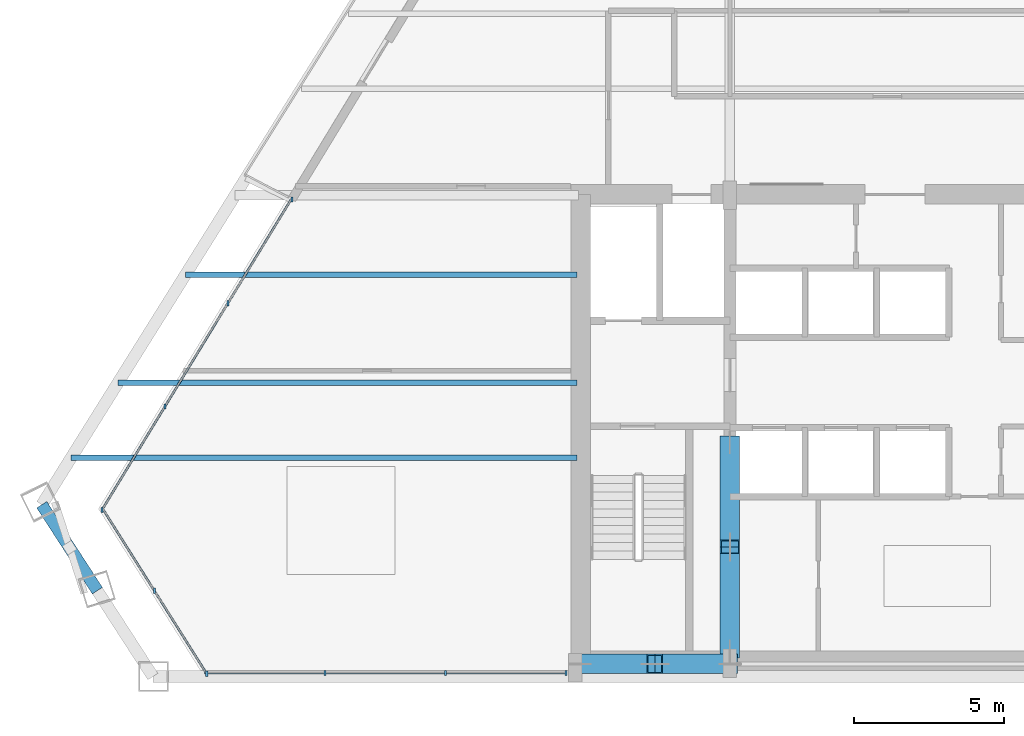
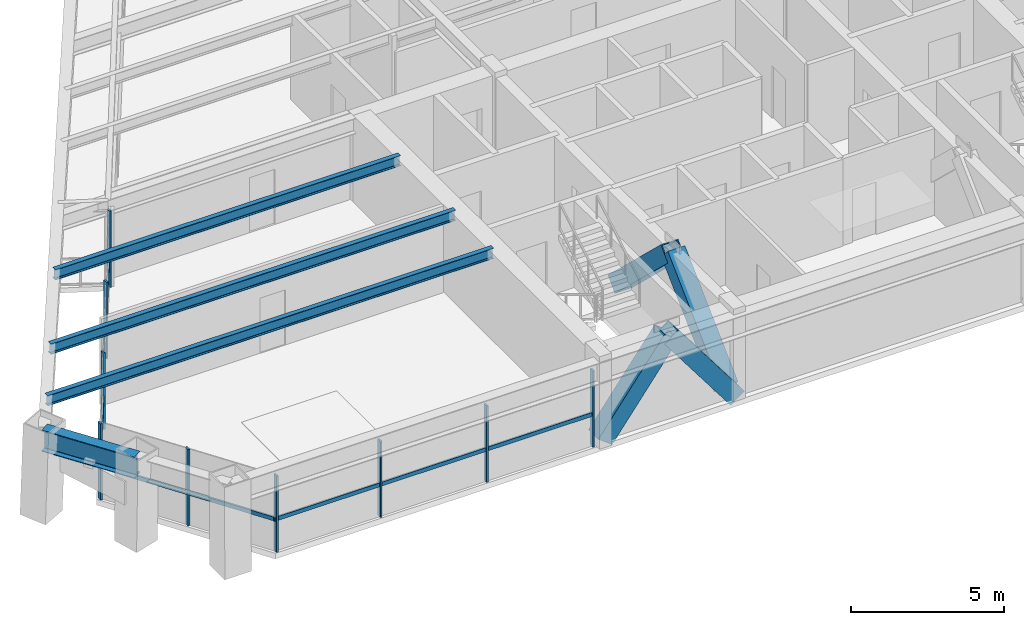
# One storey, part 2 of 13: 21 members, 4 beams, 3 elements without a shape of their own.
"""IFC4 building model written with IfcOpenShell, lengths in metres."""

from ifc_helpers import new_model, si_unit, direction, frame, origin, origin_2d, place, context, subcontext, project, spatial, rectangle, hollow_rectangle, i_section, extrude, source, transform, mapped, material, material_profile, profile_set, type_object, element, aggregate, save


model = new_model("IFC4")

# Units and contexts
model_context = context("Model", 3, precision=1e-05, world=origin(), true_north=direction((0.0, 1.0)))
body_context = subcontext(model_context, "Body", "Model", "MODEL_VIEW")
ifc_project = project(units=[si_unit("LENGTHUNIT", "METRE"), si_unit("AREAUNIT", "SQUARE_METRE"), si_unit("VOLUMEUNIT", "CUBIC_METRE"), si_unit("PLANEANGLEUNIT", "RADIAN"), si_unit("MASSUNIT", "GRAM", prefix="KILO")], contexts=[model_context])

# Site, building, storey
site_placement = place(None, origin())
site = spatial("IfcSite", under=ifc_project, at=site_placement, CompositionType="ELEMENT")
building_placement = place(site_placement, origin())
building = spatial("IfcBuilding", under=site, at=building_placement, Name="Varnakhor Terracotta Tower", CompositionType="ELEMENT")
storey_placement = place(building_placement, frame((0.0, 0.0, 204.300048828125)))
storey = spatial("IfcBuildingStorey", under=building, at=storey_placement, Name="L52", CompositionType="ELEMENT", Elevation=204.300048828125)

# Members
ifc_material_1 = material(Name="Steel S460", Category="steel")
ifc_material_profile_1 = material_profile(ifc_material_1, hollow_rectangle(XDim=0.64990234375, YDim=0.64990234375, WallThickness=0.0400390625, at=origin_2d()), Name="HSS650X650X40")
ifc_profile_set_1 = profile_set([ifc_material_profile_1], Name="Steel S460")
member_type_1 = type_object("IfcMemberType", Name="MBR-MEGA-650", PredefinedType="BRACE", material=ifc_profile_set_1)
shared_shape_1 = source(origin(), body_context, "Body", "SweptSolid", [
    extrude(hollow_rectangle(XDim=0.64990234375, YDim=0.64990234375, WallThickness=0.0400390625, at=origin_2d()), origin(), (0.0, 0.0, 1.0), 4.805908203125),
])
member_1_placement = place(storey_placement, frame((-5.5, 0.85009765625, 0.0), z_axis=(0.0, 0.723026776832, 0.69082000549), x_axis=(-1.0, 0.0, 0.0)))
element("IfcMember", 1, at=member_1_placement, inside=storey, type_object=member_type_1, Name="L52 Core Coupled Brace CWWA", PredefinedType="BRACE", context=body_context, shape_type="MappedRepresentation", body=[
    mapped(shared_shape_1, transform((0.0, 0.0, 0.0), scale=1.0)),
])
shared_shape_2 = source(origin(), body_context, "Body", "SweptSolid", [
    extrude(hollow_rectangle(XDim=0.64990234375, YDim=0.64990234375, WallThickness=0.0400390625, at=origin_2d()), origin(), (0.0, 0.0, 1.0), 4.156005859375),
])
for number, where, z_axis, x_axis, name in (
    (2, (-10.5, 0.419921875, 0.0), (0.601530923869, 0.0, 0.798849515009), (0.0, 1.0, 0.0), "L52 Core Coupled Brace CSWA"),
    (3, (-5.5, 0.419921875, 0.0), (-0.601530923869, 0.0, 0.798849515009), (0.0, -1.0, 0.0), "L52 Core Coupled Brace CSWB"),
):
    element("IfcMember", number, at=place(storey_placement, frame(where, z_axis=z_axis, x_axis=x_axis)), inside=storey, type_object=member_type_1, Name=name, PredefinedType="BRACE", context=body_context, shape_type="MappedRepresentation", body=[
        mapped(shared_shape_2, transform((0.0, 0.0, 0.0), scale=1.0)),
    ])
shared_shape_3 = source(origin(), body_context, "Body", "SweptSolid", [
    extrude(hollow_rectangle(XDim=0.64990234375, YDim=0.64990234375, WallThickness=0.0400390625, at=origin_2d()), origin(), (0.0, 0.0, 1.0), 4.80615234375),
])
member_2_placement = place(storey_placement, frame((-5.5, 7.800048828125, 0.0), z_axis=(0.0, -0.723051018573, 0.690794632681), x_axis=(1.0, 0.0, 0.0)))
element("IfcMember", 4, at=member_2_placement, inside=storey, type_object=member_type_1, Name="L52 Core Coupled Brace CWWB", PredefinedType="BRACE", context=body_context, shape_type="MappedRepresentation", body=[
    mapped(shared_shape_3, transform((0.0, 0.0, 0.0), scale=1.0)),
])

# Beams
ifc_material_2 = material(Name="Steel S355", Category="steel")
ifc_material_profile_2 = material_profile(ifc_material_2, i_section(OverallWidth=0.39990234375, OverallDepth=0.85498046875, WebThickness=0.01806640625, FlangeThickness=0.029052734375, FilletRadius=0.01806640625, at=origin_2d()), Name="W33X201")
ifc_profile_set_2 = profile_set([ifc_material_profile_2], Name="Steel S355")
beam_type_1 = type_object("IfcBeamType", Name="BM-W33X201", PredefinedType="BEAM", material=ifc_profile_set_2)
shared_shape_4 = source(origin(), body_context, "Body", "SweptSolid", [
    extrude(i_section(OverallWidth=0.39990234375, OverallDepth=0.85498046875, WebThickness=0.01806640625, FlangeThickness=0.029052734375, FilletRadius=0.01806640625, at=origin_2d()), origin(), (0.0, 0.0, 1.0), 3.41162109375),
])
beam_1_placement = place(storey_placement, frame((-28.444091796875, 5.729248046875, 3.04248046875), z_axis=(0.543019812399, -0.839719883855, 0.0), x_axis=(0.839719883855, 0.543019812399, 0.0)))
element("IfcBeam", 5, at=beam_1_placement, inside=storey, type_object=beam_type_1, Name="L52 Perimeter Spandrel 7", PredefinedType="BEAM", context=body_context, shape_type="MappedRepresentation", body=[
    mapped(shared_shape_4, transform((0.0, 0.0, 0.0), scale=1.0)),
])
ifc_material_profile_3 = material_profile(ifc_material_2, i_section(OverallWidth=0.179931640625, OverallDepth=0.4130859375, WebThickness=0.009765625, FlangeThickness=0.01611328125, FilletRadius=0.01806640625, at=origin_2d()), Name="W16X50")
ifc_profile_set_3 = profile_set([ifc_material_profile_3], Name="Steel S355")
beam_type_2 = type_object("IfcBeamType", Name="JST-W16X50", PredefinedType="JOIST", material=ifc_profile_set_3)
shared_shape_5 = source(origin(), body_context, "Body", "SweptSolid", [
    extrude(i_section(OverallWidth=0.179931640625, OverallDepth=0.4130859375, WebThickness=0.009765625, FlangeThickness=0.01611328125, FilletRadius=0.01806640625, at=origin_2d()), origin(), (0.0, 0.0, 1.0), 16.862548828125),
])
beam_2_placement = place(storey_placement, frame((-27.462646484375, 7.300048828125, 3.263427734375), z_axis=(1.0, 0.0, 0.0), x_axis=(0.0, 1.0, 0.0)))
element("IfcBeam", 6, at=beam_2_placement, inside=storey, type_object=beam_type_2, Name="L52 Floor Joist W1", PredefinedType="JOIST", context=body_context, shape_type="MappedRepresentation", body=[
    mapped(shared_shape_5, transform((0.0, 0.0, 0.0), scale=1.0)),
])
shared_shape_6 = source(origin(), body_context, "Body", "SweptSolid", [
    extrude(i_section(OverallWidth=0.179931640625, OverallDepth=0.4130859375, WebThickness=0.009765625, FlangeThickness=0.01611328125, FilletRadius=0.01806640625, at=origin_2d()), origin(), (0.0, 0.0, 1.0), 15.300537109375),
])
beam_3_placement = place(storey_placement, frame((-25.900634765625, 9.800048828125, 3.263427734375), z_axis=(1.0, 0.0, 0.0), x_axis=(0.0, 1.0, 0.0)))
element("IfcBeam", 7, at=beam_3_placement, inside=storey, type_object=beam_type_2, Name="L52 Floor Joist W2", PredefinedType="JOIST", context=body_context, shape_type="MappedRepresentation", body=[
    mapped(shared_shape_6, transform((0.0, 0.0, 0.0), scale=1.0)),
])
shared_shape_7 = source(origin(), body_context, "Body", "SweptSolid", [
    extrude(i_section(OverallWidth=0.179931640625, OverallDepth=0.4130859375, WebThickness=0.009765625, FlangeThickness=0.01611328125, FilletRadius=0.01806640625, at=origin_2d()), origin(), (0.0, 0.0, 1.0), 13.051025390625),
])
beam_4_placement = place(storey_placement, frame((-23.651123046875, 13.39990234375, 3.263427734375), z_axis=(1.0, 0.0, 0.0), x_axis=(0.0, 1.0, 0.0)))
element("IfcBeam", 8, at=beam_4_placement, inside=storey, type_object=beam_type_2, Name="L52 Floor Joist W3", PredefinedType="JOIST", context=body_context, shape_type="MappedRepresentation", body=[
    mapped(shared_shape_7, transform((0.0, 0.0, 0.0), scale=1.0)),
])

# Curtain wall, members
ifc_material_3 = material(Name="Anodised Aluminium Curtain Wall System", Category="aluminium")
curtain_wall_type = type_object("IfcCurtainWallType", Name="CW-SYS-MID-OFFICE", PredefinedType="NOTDEFINED", material=ifc_material_3)
curtain_wall_1_placement = place(storey_placement, origin())
curtain_wall_1 = element("IfcCurtainWall", 9, at=curtain_wall_1_placement, inside=storey, type_object=curtain_wall_type, Name="L52 W Facet Curtain Wall 1", PredefinedType="NOTDEFINED")
ifc_material_4 = material(Name="Anodised Aluminium 6063-T6", Category="aluminium")
ifc_material_profile_4 = material_profile(ifc_material_4, rectangle(XDim=0.070068359375, YDim=0.175048828125, at=origin_2d()), Name="ALU MULLION 70x175")
ifc_profile_set_4 = profile_set([ifc_material_profile_4], Name="Anodised Aluminium 6063-T6")
member_type_2 = type_object("IfcMemberType", Name="CWM-03", PredefinedType="MULLION", material=ifc_profile_set_4)
shared_shape_8 = source(origin(), body_context, "Body", "SweptSolid", [
    extrude(rectangle(XDim=0.070068359375, YDim=0.175048828125, at=origin_2d()), origin(), (0.0, 0.0, 1.0), 3.050048828125),
])
member_3_placement = place(storey_placement, frame((-26.436767578125, 5.556884765625, 0.0), z_axis=(0.0, 0.0, 1.0), x_axis=(1.0, 0.0, 0.0)))
member_3 = element("IfcMember", 10, at=member_3_placement, type_object=member_type_2, Name="L52 W Facet Curtain Wall 1 Mullion 1", PredefinedType="MULLION", context=body_context, shape_type="MappedRepresentation", body=[
    mapped(shared_shape_8, transform((0.0, 0.0, 0.0), scale=1.0)),
])
member_4_placement = place(storey_placement, frame((-24.337646484375, 9.002685546875, 0.0), z_axis=(0.0, 0.0, 1.0), x_axis=(1.0, 0.0, 0.0)))
member_4 = element("IfcMember", 11, at=member_4_placement, type_object=member_type_2, Name="L52 W Facet Curtain Wall 1 Mullion 2", PredefinedType="MULLION", context=body_context, shape_type="MappedRepresentation", body=[
    mapped(shared_shape_8, transform((0.0, 0.0, 0.0), scale=1.0)),
])
member_5_placement = place(storey_placement, frame((-22.238525390625, 12.4482421875, 0.0), z_axis=(0.0, 0.0, 1.0), x_axis=(1.0, 0.0, 0.0)))
member_5 = element("IfcMember", 12, at=member_5_placement, type_object=member_type_2, Name="L52 W Facet Curtain Wall 1 Mullion 3", PredefinedType="MULLION", context=body_context, shape_type="MappedRepresentation", body=[
    mapped(shared_shape_8, transform((0.0, 0.0, 0.0), scale=1.0)),
])
member_6_placement = place(storey_placement, frame((-20.106689453125, 15.9091796875, 0.0), z_axis=(0.0, 0.0, 1.0), x_axis=(1.0, 0.0, 0.0)))
member_6 = element("IfcMember", 13, at=member_6_placement, type_object=member_type_2, Name="L52 W Loggia Jamb Closure Mullion 1", PredefinedType="MULLION", context=body_context, shape_type="MappedRepresentation", body=[
    mapped(shared_shape_8, transform((0.0, 0.0, 0.0), scale=1.0)),
])

curtain_wall_2_placement = place(storey_placement, origin())
curtain_wall_2 = element("IfcCurtainWall", 14, at=curtain_wall_2_placement, inside=storey, type_object=curtain_wall_type, Name="L52 South Wing Curtain Wall SSW", PredefinedType="NOTDEFINED")
member_7_placement = place(storey_placement, frame((-10.969970703125, 0.1201171875, 0.0), z_axis=(0.0, 0.0, 1.0), x_axis=(1.0, 0.0, 0.0)))
member_7 = element("IfcMember", 15, at=member_7_placement, type_object=member_type_2, Name="L52 South Wing Curtain Wall SSW Mullion 1", PredefinedType="MULLION", context=body_context, shape_type="MappedRepresentation", body=[
    mapped(shared_shape_8, transform((0.0, 0.0, 0.0), scale=1.0)),
])
member_8_placement = place(storey_placement, frame((-14.985595703125, 0.1201171875, 0.0), z_axis=(0.0, 0.0, 1.0), x_axis=(1.0, 0.0, 0.0)))
member_8 = element("IfcMember", 16, at=member_8_placement, type_object=member_type_2, Name="L52 South Wing Curtain Wall SSW Mullion 2", PredefinedType="MULLION", context=body_context, shape_type="MappedRepresentation", body=[
    mapped(shared_shape_8, transform((0.0, 0.0, 0.0), scale=1.0)),
])
member_9_placement = place(storey_placement, frame((-19.001220703125, 0.1201171875, 0.0), z_axis=(0.0, 0.0, 1.0), x_axis=(1.0, 0.0, 0.0)))
member_9 = element("IfcMember", 17, at=member_9_placement, type_object=member_type_2, Name="L52 South Wing Curtain Wall SSW Mullion 3", PredefinedType="MULLION", context=body_context, shape_type="MappedRepresentation", body=[
    mapped(shared_shape_8, transform((0.0, 0.0, 0.0), scale=1.0)),
])

curtain_wall_3_placement = place(storey_placement, origin())
curtain_wall_3 = element("IfcCurtainWall", 18, at=curtain_wall_3_placement, inside=storey, type_object=curtain_wall_type, Name="L52 Facet Curtain Wall 6", PredefinedType="NOTDEFINED")
member_10_placement = place(storey_placement, frame((-22.94140625, 0.08935546875, 0.0), z_axis=(0.0, 0.0, 1.0), x_axis=(1.0, 0.0, 0.0)))
member_10 = element("IfcMember", 19, at=member_10_placement, type_object=member_type_2, Name="L52 Facet Curtain Wall 6 Mullion 1", PredefinedType="MULLION", context=body_context, shape_type="MappedRepresentation", body=[
    mapped(shared_shape_8, transform((0.0, 0.0, 0.0), scale=1.0)),
])
member_11_placement = place(storey_placement, frame((-24.689453125, 2.86083984375, 0.0), z_axis=(0.0, 0.0, 1.0), x_axis=(1.0, 0.0, 0.0)))
member_11 = element("IfcMember", 20, at=member_11_placement, type_object=member_type_2, Name="L52 Facet Curtain Wall 6 Mullion 2", PredefinedType="MULLION", context=body_context, shape_type="MappedRepresentation", body=[
    mapped(shared_shape_8, transform((0.0, 0.0, 0.0), scale=1.0)),
])

# Member
ifc_material_profile_5 = material_profile(ifc_material_4, rectangle(XDim=0.070068359375, YDim=0.155029296875, at=origin_2d()), Name="ALU TRANSOM 70x155")
ifc_profile_set_5 = profile_set([ifc_material_profile_5], Name="Anodised Aluminium 6063-T6")
member_type_3 = type_object("IfcMemberType", Name="CWT-03", PredefinedType="USERDEFINED", material=ifc_profile_set_5)
shared_shape_9 = source(origin(), body_context, "Body", "SweptSolid", [
    extrude(rectangle(XDim=0.070068359375, YDim=0.155029296875, at=origin_2d()), origin(), (0.0, 0.0, 1.0), 4.034912109375),
])
member_12_placement = place(storey_placement, frame((-26.436767578125, 5.556884765625, 1.281005859375), z_axis=(0.520250206667, 0.854013888917, 0.0), x_axis=(-0.854013888917, 0.520250206667, 0.0)))
member_12 = element("IfcMember", 21, at=member_12_placement, type_object=member_type_3, Name="L52 W Facet Curtain Wall 1 Transom 1", ObjectType="TRANSOM", PredefinedType="USERDEFINED", context=body_context, shape_type="MappedRepresentation", body=[
    mapped(shared_shape_9, transform((0.0, 0.0, 0.0), scale=1.0)),
])

shared_shape_10 = source(origin(), body_context, "Body", "SweptSolid", [
    extrude(rectangle(XDim=0.070068359375, YDim=0.155029296875, at=origin_2d()), origin(), (0.0, 0.0, 1.0), 4.03466796875),
])
member_13_placement = place(storey_placement, frame((-24.337646484375, 9.002685546875, 1.281005859375), z_axis=(0.520277091683, 0.853997510459, 0.0), x_axis=(-0.853997510459, 0.520277091683, 0.0)))
member_13 = element("IfcMember", 22, at=member_13_placement, type_object=member_type_3, Name="L52 W Facet Curtain Wall 1 Transom 2", ObjectType="TRANSOM", PredefinedType="USERDEFINED", context=body_context, shape_type="MappedRepresentation", body=[
    mapped(shared_shape_10, transform((0.0, 0.0, 0.0), scale=1.0)),
])

member_14_placement = place(storey_placement, frame((-22.238525390625, 12.4482421875, 1.281005859375), z_axis=(0.520277091683, 0.853997510459, 0.0), x_axis=(-0.853997510459, 0.520277091683, 0.0)))
member_14 = element("IfcMember", 23, at=member_14_placement, type_object=member_type_3, Name="L52 W Facet Curtain Wall 1 Transom 3", ObjectType="TRANSOM", PredefinedType="USERDEFINED", context=body_context, shape_type="MappedRepresentation", body=[
    mapped(shared_shape_10, transform((0.0, 0.0, 0.0), scale=1.0)),
])

aggregate(curtain_wall_1, [member_3, member_12, member_4, member_13, member_5, member_14, member_6])

shared_shape_11 = source(origin(), body_context, "Body", "SweptSolid", [
    extrude(rectangle(XDim=0.070068359375, YDim=0.155029296875, at=origin_2d()), origin(), (0.0, 0.0, 1.0), 4.015625),
])
member_15_placement = place(storey_placement, frame((-10.969970703125, 0.1201171875, 1.281005859375), z_axis=(-1.0, 0.0, 0.0), x_axis=(0.0, -1.0, 0.0)))
member_15 = element("IfcMember", 24, at=member_15_placement, type_object=member_type_3, Name="L52 South Wing Curtain Wall SSW Transom 1", ObjectType="TRANSOM", PredefinedType="USERDEFINED", context=body_context, shape_type="MappedRepresentation", body=[
    mapped(shared_shape_11, transform((0.0, 0.0, 0.0), scale=1.0)),
])

member_16_placement = place(storey_placement, frame((-14.985595703125, 0.1201171875, 1.281005859375), z_axis=(-1.0, 0.0, 0.0), x_axis=(0.0, -1.0, 0.0)))
member_16 = element("IfcMember", 25, at=member_16_placement, type_object=member_type_3, Name="L52 South Wing Curtain Wall SSW Transom 2", ObjectType="TRANSOM", PredefinedType="USERDEFINED", context=body_context, shape_type="MappedRepresentation", body=[
    mapped(shared_shape_11, transform((0.0, 0.0, 0.0), scale=1.0)),
])

member_17_placement = place(storey_placement, frame((-19.001220703125, 0.1201171875, 1.281005859375), z_axis=(-1.0, 0.0, 0.0), x_axis=(0.0, -1.0, 0.0)))
member_17 = element("IfcMember", 26, at=member_17_placement, type_object=member_type_3, Name="L52 South Wing Curtain Wall SSW Transom 3", ObjectType="TRANSOM", PredefinedType="USERDEFINED", context=body_context, shape_type="MappedRepresentation", body=[
    mapped(shared_shape_11, transform((0.0, 0.0, 0.0), scale=1.0)),
])

aggregate(curtain_wall_2, [member_7, member_15, member_8, member_16, member_9, member_17])

shared_shape_12 = source(origin(), body_context, "Body", "SweptSolid", [
    extrude(rectangle(XDim=0.070068359375, YDim=0.155029296875, at=origin_2d()), origin(), (0.0, 0.0, 1.0), 3.276611328125),
])
member_18_placement = place(storey_placement, frame((-22.94140625, 0.08935546875, 1.281005859375), z_axis=(-0.533477090285, 0.845814515211, 0.0), x_axis=(-0.845814515211, -0.533477090285, 0.0)))
member_18 = element("IfcMember", 27, at=member_18_placement, type_object=member_type_3, Name="L52 Facet Curtain Wall 6 Transom 1", ObjectType="TRANSOM", PredefinedType="USERDEFINED", context=body_context, shape_type="MappedRepresentation", body=[
    mapped(shared_shape_12, transform((0.0, 0.0, 0.0), scale=1.0)),
])

member_19_placement = place(storey_placement, frame((-24.689453125, 2.86083984375, 1.281005859375), z_axis=(-0.533423783939, 0.845848134554, 0.0), x_axis=(-0.845848134554, -0.533423783939, 0.0)))
member_19 = element("IfcMember", 28, at=member_19_placement, type_object=member_type_3, Name="L52 Facet Curtain Wall 6 Transom 2", ObjectType="TRANSOM", PredefinedType="USERDEFINED", context=body_context, shape_type="MappedRepresentation", body=[
    mapped(shared_shape_12, transform((0.0, 0.0, 0.0), scale=1.0)),
])

aggregate(curtain_wall_3, [member_10, member_18, member_11, member_19])

save(model, "model.ifc")
